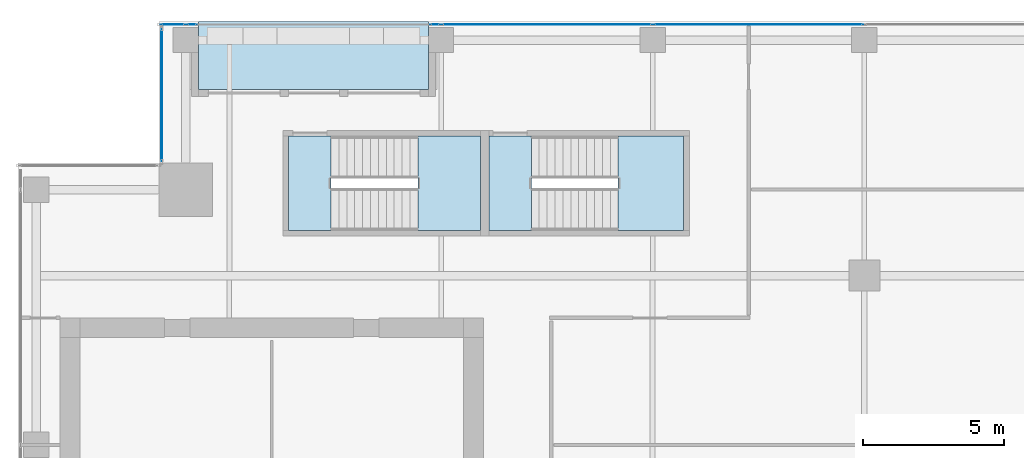
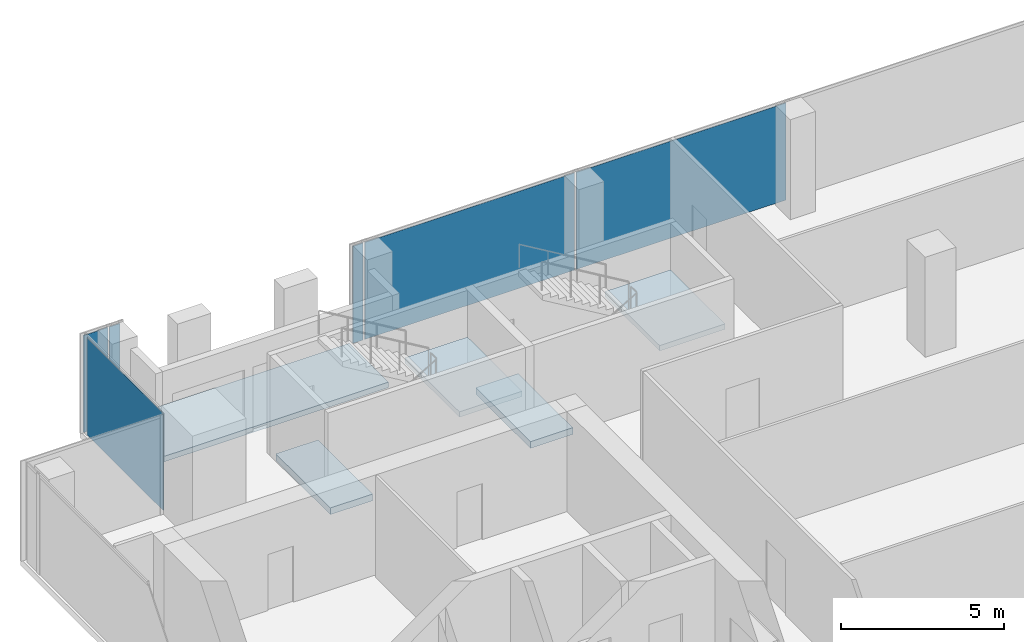
# One storey, part 28 of 35: 6 plates, 5 slabs, 5 elements without a shape of their own.
"""IFC4 building model written with IfcOpenShell, lengths in metres."""

from ifc_helpers import new_model, si_unit, direction, frame, origin, origin_2d, place, context, subcontext, project, spatial, polyline, rectangle, outline, extrude, source, transform, mapped, material, layer, layer_set, type_object, element, aggregate, save


model = new_model("IFC4")

# Units and contexts
model_context = context("Model", 3, precision=1e-05, world=origin(), true_north=direction((0.0, 1.0)))
body_context = subcontext(model_context, "Body", "Model", "MODEL_VIEW")
ifc_project = project(units=[si_unit("LENGTHUNIT", "METRE"), si_unit("AREAUNIT", "SQUARE_METRE"), si_unit("VOLUMEUNIT", "CUBIC_METRE"), si_unit("PLANEANGLEUNIT", "RADIAN"), si_unit("MASSUNIT", "GRAM", prefix="KILO")], contexts=[model_context])

# Site, building, storey
site_placement = place(None, origin())
site = spatial("IfcSite", under=ifc_project, at=site_placement, CompositionType="ELEMENT")
building_placement = place(site_placement, origin())
building = spatial("IfcBuilding", under=site, at=building_placement, Name="Khomas Fold Tower", CompositionType="ELEMENT")
storey_placement = place(building_placement, frame((0.0, 0.0, 250.199951171875)))
storey = spatial("IfcBuildingStorey", under=building, at=storey_placement, Name="L56", CompositionType="ELEMENT", Elevation=250.199951171875)

# Curtain wall, plates
ifc_material_1 = material(Name="Aluminium framed double glazing", Category="aluminium")
curtain_wall_type = type_object("IfcCurtainWallType", Name="SK-Unitised clear-glass wall, office floors CW2", PredefinedType="NOTDEFINED", material=ifc_material_1)
curtain_wall_1_placement = place(storey_placement, origin())
curtain_wall_1 = element("IfcCurtainWall", 1, at=curtain_wall_1_placement, inside=storey, type_object=curtain_wall_type, Name="CW2 run L56 06-0", PredefinedType="NOTDEFINED")
ifc_material_2 = material(Name="Clear double glazed unit")
ifc_layer_1 = layer(ifc_material_2, 0.030029296875)
ifc_layer_set_1 = layer_set([ifc_layer_1], Name="Clear double glazed unit")
plate_type = type_object("IfcPlateType", Name="SK-Unitised clear-glass wall, office floors glass panel CW2-P", PredefinedType="CURTAIN_PANEL", material=ifc_layer_set_1)
shared_shape_1 = source(origin(), body_context, "Body", "SweptSolid", [
    extrude(rectangle(XDim=7.43994140625, YDim=0.030029296875, at=origin_2d()), origin(), (0.0, 0.0, 1.0), 3.639892578125),
])
plate_1_placement = place(storey_placement, frame((30.75, 49.39990234375, 0.0), z_axis=(0.0, 0.0, 1.0), x_axis=(-1.0, 0.0, 0.0)))
plate_1 = element("IfcPlate", 2, at=plate_1_placement, type_object=plate_type, Name="CW2 glass panel 3", PredefinedType="CURTAIN_PANEL", context=body_context, shape_type="MappedRepresentation", body=[
    mapped(shared_shape_1, transform((0.0, 0.0, 0.0))),
])
plate_2_placement = place(storey_placement, frame((23.25, 49.39990234375, 0.0), z_axis=(0.0, 0.0, 1.0), x_axis=(-1.0, 0.0, 0.0)))
plate_2 = element("IfcPlate", 3, at=plate_2_placement, type_object=plate_type, Name="CW2 glass panel 4", PredefinedType="CURTAIN_PANEL", context=body_context, shape_type="MappedRepresentation", body=[
    mapped(shared_shape_1, transform((0.0, 0.0, 0.0))),
])

# Curtain wall, plate
curtain_wall_2_placement = place(storey_placement, origin())
curtain_wall_2 = element("IfcCurtainWall", 4, at=curtain_wall_2_placement, inside=storey, type_object=curtain_wall_type, Name="CW2 run L56 06-1", PredefinedType="NOTDEFINED")
shared_shape_2 = source(origin(), body_context, "Body", "SweptSolid", [
    extrude(rectangle(XDim=0.860107421875, YDim=0.030029296875, at=origin_2d()), origin(), (0.0, 0.0, 1.0), 3.639892578125),
])
plate_3_placement = place(storey_placement, frame((9.989990234375, 49.39990234375, 0.0), z_axis=(0.0, 0.0, 1.0), x_axis=(-1.0, 0.0, 0.0)))
plate_3 = element("IfcPlate", 5, at=plate_3_placement, type_object=plate_type, Name="CW2 glass panel 2", PredefinedType="CURTAIN_PANEL", context=body_context, shape_type="MappedRepresentation", body=[
    mapped(shared_shape_2, transform((0.0, 0.0, 0.0))),
])

curtain_wall_3_placement = place(storey_placement, origin())
curtain_wall_3 = element("IfcCurtainWall", 6, at=curtain_wall_3_placement, inside=storey, type_object=curtain_wall_type, Name="CW2 corner return L56 07", PredefinedType="NOTDEFINED")
shared_shape_3 = source(origin(), body_context, "Body", "SweptSolid", [
    extrude(rectangle(XDim=4.679931640625, YDim=0.030029296875, at=origin_2d()), origin(), (0.0, 0.0, 1.0), 3.639892578125),
])
plate_4_placement = place(storey_placement, frame((9.60009765625, 46.89990234375, 0.0), z_axis=(0.0, 0.0, 1.0), x_axis=(0.0, -1.0, 0.0)))
plate_4 = element("IfcPlate", 7, at=plate_4_placement, type_object=plate_type, Name="CW2 glass panel 1", PredefinedType="CURTAIN_PANEL", context=body_context, shape_type="MappedRepresentation", body=[
    mapped(shared_shape_3, transform((0.0, 0.0, 0.0))),
])
aggregate(curtain_wall_3, [plate_4])

# Plate
shared_shape_4 = source(origin(), body_context, "Body", "SweptSolid", [
    extrude(rectangle(XDim=0.360107421875, YDim=0.030029296875, at=origin_2d()), origin(), (0.0, 0.0, 1.0), 3.639892578125),
])
plate_5_placement = place(storey_placement, frame((19.2900390625, 49.39990234375, 0.0), z_axis=(0.0, 0.0, 1.0), x_axis=(-1.0, 0.0, 0.0)))
plate_5 = element("IfcPlate", 8, at=plate_5_placement, type_object=plate_type, Name="CW2 glass panel 5", PredefinedType="CURTAIN_PANEL", context=body_context, shape_type="MappedRepresentation", body=[
    mapped(shared_shape_4, transform((0.0, 0.0, 0.0))),
])

aggregate(curtain_wall_1, [plate_1, plate_2, plate_5])

plate_6_placement = place(storey_placement, frame((10.659912109375, 49.39990234375, 0.0), z_axis=(0.0, 0.0, 1.0), x_axis=(-1.0, 0.0, 0.0)))
plate_6 = element("IfcPlate", 9, at=plate_6_placement, type_object=plate_type, Name="CW2 glass panel 1", PredefinedType="CURTAIN_PANEL", context=body_context, shape_type="MappedRepresentation", body=[
    mapped(shared_shape_4, transform((0.0, 0.0, 0.0))),
])

aggregate(curtain_wall_2, [plate_6, plate_3])

# Slab
ifc_material_3 = material(Name="Concrete C40/50", Category="concrete")
ifc_layer_2 = layer(ifc_material_3, 0.205078125)
ifc_layer_set_2 = layer_set([ifc_layer_2], Name="Concrete C40/50")
slab_type_1 = type_object("IfcSlabType", Name="BL-Balcony deck 205", PredefinedType="FLOOR", material=ifc_layer_set_2)
shared_shape_5 = source(origin(), body_context, "Body", "SweptSolid", [
    extrude(outline(polyline([(10.89990234375, 47.10009765625), (19.050048828125, 47.10009765625), (19.050048828125, 49.5), (10.89990234375, 49.5), (10.89990234375, 47.10009765625)])), origin(), (0.0, 0.0, 1.0), 0.205078125),
])
slab_1_placement = place(storey_placement, frame((0.0, 0.0, -0.25)))
element("IfcSlab", 10, at=slab_1_placement, inside=storey, type_object=slab_type_1, Name="Balcony deck BAL-L56-N1", PredefinedType="FLOOR", context=body_context, shape_type="MappedRepresentation", body=[
    mapped(shared_shape_5, transform((0.0, 0.0, 0.0))),
])

# Stair, slab
ifc_material_4 = material(Name="Concrete C40/50", Category="concrete")
stair_type_1 = type_object("IfcStairType", Name="Stair ST1", PredefinedType="HALF_TURN_STAIR", material=ifc_material_4)
stair_1_placement = place(storey_placement, origin())
stair_1 = element("IfcStair", 11, at=stair_1_placement, inside=storey, type_object=stair_type_1, Name="L56 ST1", PredefinedType="HALF_TURN_STAIR")
ifc_material_5 = material(Name="Concrete C40/50", Category="concrete")
ifc_layer_3 = layer(ifc_material_5, 0.199951171875)
ifc_layer_set_3 = layer_set([ifc_layer_3], Name="Concrete C40/50")
slab_type_2 = type_object("IfcSlabType", Name="Stair landing 200", PredefinedType="LANDING", material=ifc_layer_set_3)
shared_shape_6 = source(origin(), body_context, "Body", "SweptSolid", [
    extrude(outline(polyline([(18.679931640625, 42.10009765625), (20.89990234375, 42.10009765625), (20.89990234375, 45.449951171875), (18.679931640625, 45.449951171875), (18.679931640625, 42.10009765625)])), origin(), (0.0, 0.0, 1.0), 0.199951171875),
])
slab_2_placement = place(storey_placement, frame((0.0, 0.0, 1.800048828125)))
slab_2 = element("IfcSlab", 12, at=slab_2_placement, type_object=slab_type_2, Name="ST1 landing 1", PredefinedType="LANDING", context=body_context, shape_type="MappedRepresentation", body=[
    mapped(shared_shape_6, transform((0.0, 0.0, 0.0))),
])
aggregate(stair_1, [slab_2])

# Slab
ifc_material_6 = material(Name="Concrete C40/50", Category="concrete")
ifc_layer_4 = layer(ifc_material_6, 0.25)
ifc_layer_set_4 = layer_set([ifc_layer_4], Name="Concrete C40/50")
slab_type_3 = type_object("IfcSlabType", Name="Stair floor landing 250", PredefinedType="LANDING", material=ifc_layer_set_4)
shared_shape_7 = source(origin(), body_context, "Body", "SweptSolid", [
    extrude(outline(polyline([(15.60009765625, 42.10009765625), (14.10009765625, 42.10009765625), (14.10009765625, 45.449951171875), (15.60009765625, 45.449951171875), (15.60009765625, 42.10009765625)])), origin(), (0.0, 0.0, 1.0), 0.25),
])
slab_3_placement = place(storey_placement, frame((0.0, 0.0, -0.25)))
element("IfcSlab", 13, at=slab_3_placement, inside=storey, type_object=slab_type_3, Name="ST1 floor landing", PredefinedType="LANDING", context=body_context, shape_type="MappedRepresentation", body=[
    mapped(shared_shape_7, transform((0.0, 0.0, 0.0))),
])

# Stair, slab
ifc_material_7 = material(Name="Concrete C40/50", Category="concrete")
stair_type_2 = type_object("IfcStairType", Name="Stair ST3", PredefinedType="HALF_TURN_STAIR", material=ifc_material_7)
stair_2_placement = place(storey_placement, origin())
stair_2 = element("IfcStair", 14, at=stair_2_placement, inside=storey, type_object=stair_type_2, Name="L56 ST3", PredefinedType="HALF_TURN_STAIR")
shared_shape_8 = source(origin(), body_context, "Body", "SweptSolid", [
    extrude(outline(polyline([(25.780029296875, 42.10009765625), (28.10009765625, 42.10009765625), (28.10009765625, 45.449951171875), (25.780029296875, 45.449951171875), (25.780029296875, 42.10009765625)])), origin(), (0.0, 0.0, 1.0), 0.199951171875),
])
slab_4_placement = place(storey_placement, frame((0.0, 0.0, 1.800048828125)))
slab_4 = element("IfcSlab", 15, at=slab_4_placement, type_object=slab_type_2, Name="ST3 landing 1", PredefinedType="LANDING", context=body_context, shape_type="MappedRepresentation", body=[
    mapped(shared_shape_8, transform((0.0, 0.0, 0.0))),
])
aggregate(stair_2, [slab_4])

# Slab
shared_shape_9 = source(origin(), body_context, "Body", "SweptSolid", [
    extrude(outline(polyline([(22.699951171875, 42.10009765625), (21.199951171875, 42.10009765625), (21.199951171875, 45.449951171875), (22.699951171875, 45.449951171875), (22.699951171875, 42.10009765625)])), origin(), (0.0, 0.0, 1.0), 0.25),
])
slab_5_placement = place(storey_placement, frame((0.0, 0.0, -0.25)))
element("IfcSlab", 16, at=slab_5_placement, inside=storey, type_object=slab_type_3, Name="ST3 floor landing", PredefinedType="LANDING", context=body_context, shape_type="MappedRepresentation", body=[
    mapped(shared_shape_9, transform((0.0, 0.0, 0.0))),
])

save(model, "model.ifc")
